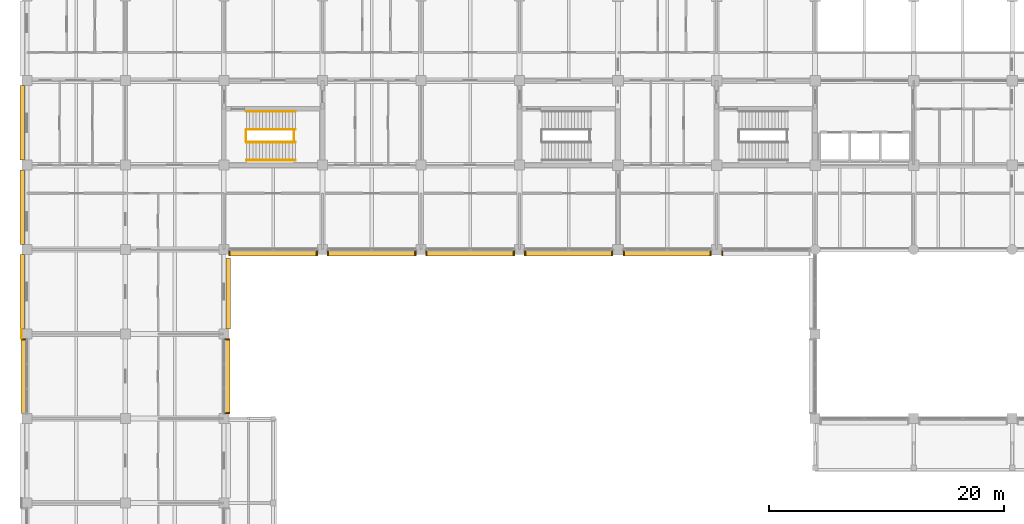
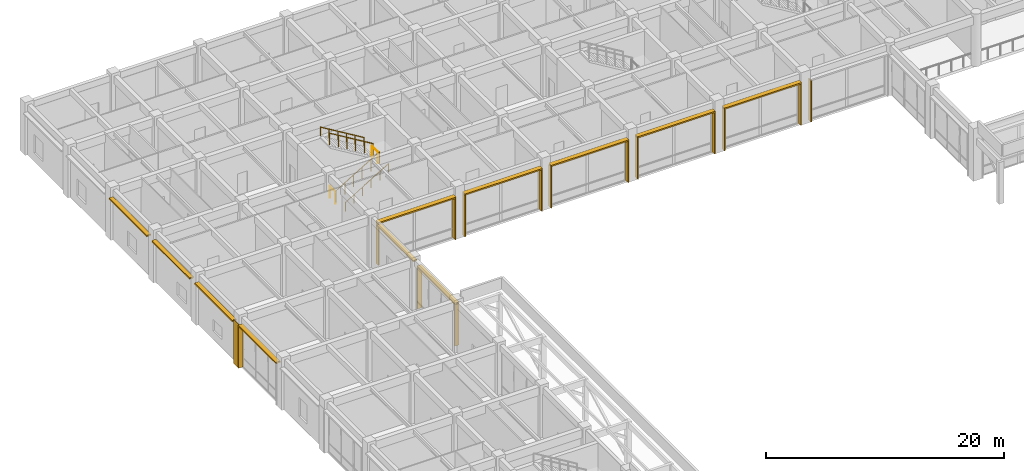
# One storey, part 63 of 68: 25 shading devices, 6 railings, 1 covering.
"""IFC4 building model written with IfcOpenShell, lengths in metres."""

from ifc_helpers import new_model, si_unit, direction, frame, origin, origin_2d, place, context, subcontext, project, spatial, rectangle, circle, extrude, material, layer, layer_set, type_object, element, save


model = new_model("IFC4")

# Units and contexts
model_context = context("Model", 3, precision=1e-05, world=origin(), true_north=direction((0.0, 1.0)))
body_context = subcontext(model_context, "Body", "Model", "MODEL_VIEW")
ifc_project = project(units=[si_unit("LENGTHUNIT", "METRE"), si_unit("AREAUNIT", "SQUARE_METRE"), si_unit("VOLUMEUNIT", "CUBIC_METRE"), si_unit("PLANEANGLEUNIT", "RADIAN"), si_unit("MASSUNIT", "GRAM", prefix="KILO")], contexts=[model_context])

# Site, building, storey
site_placement = place(None, origin())
site = spatial("IfcSite", under=ifc_project, at=site_placement, CompositionType="ELEMENT")
building_placement = place(site_placement, origin())
building = spatial("IfcBuilding", under=site, at=building_placement, Name="Chengyuan Square Courthouse", CompositionType="ELEMENT")
storey_placement = place(building_placement, frame((0.0, 0.0, 5.39990234375)))
storey = spatial("IfcBuildingStorey", under=building, at=storey_placement, Name="L02", CompositionType="ELEMENT", Elevation=5.39990234375)

# Covering
ifc_material_1 = material(Name="Flamed Liaoning Granite Column Cladding", Category="masonry")
ifc_layer = layer(ifc_material_1, 0.050048828125)
ifc_layer_set = layer_set([ifc_layer], Name="Flamed Liaoning Granite Column Cladding")
covering_type = type_object("IfcCoveringType", Name="CLD-01", PredefinedType="CLADDING", material=ifc_layer_set)
covering_placement = place(storey_placement, frame((-0.445068359375, 72.0, 0.0), z_axis=(0.0, 0.0, 1.0), x_axis=(1.0, 0.0, 0.0)))
element("IfcCovering", 1, at=covering_placement, inside=storey, type_object=covering_type, Name="Granite Column Cladding CLD-L02-18", PredefinedType="CLADDING", context=body_context, shape_type="SweptSolid", body=[
    extrude(rectangle(XDim=0.050048828125, YDim=0.800048828125, at=origin_2d()), origin(), (0.0, 0.0, 1.0), 4.5),
])

# Railings
ifc_material_2 = material(Name="Tempered Glass and Timber Top-Rail Balustrade", Category="wood")
railing_type_1 = type_object("IfcRailingType", Name="RL-02", PredefinedType="BALUSTRADE", material=ifc_material_2)
for number, where, name in (
    (2, (18.68994140625, 88.39990234375, 0.0), "Stair Floor Slot Guard ST-9 L02"),
    (3, (22.7900390625, 88.39990234375, 2.7001953125), "Stair Landing Guard ST-9-L02"),
):
    element("IfcRailing", number, at=place(storey_placement, frame(where)), inside=storey, type_object=railing_type_1, Name=name, PredefinedType="BALUSTRADE", context=body_context, shape_type="SweptSolid", body=[
        extrude(circle(Radius=0.02392578125, at=origin_2d()), frame((0.0, 0.0, 1.17578125), z_axis=(0.0, 1.0, 0.0), x_axis=(-1.0, 0.0, 0.0)), (0.0, 0.0, 1.0), 1.0),
        extrude(circle(Radius=0.02099609375, at=origin_2d()), origin(), (0.0, 0.0, 1.0), 1.15185546875),
        extrude(circle(Radius=0.02099609375, at=origin_2d()), frame((0.0, 1.0, 0.0)), (0.0, 0.0, 1.0), 1.15185546875),
    ])
railing_1_placement = place(storey_placement, frame((18.7099609375, 88.35009765625, 0.1689453125)))
element("IfcRailing", 4, at=railing_1_placement, inside=storey, type_object=railing_type_1, Name="Stair Flight 1 Guard ST-9-L02", PredefinedType="BALUSTRADE", context=body_context, shape_type="SweptSolid", body=[
    extrude(circle(Radius=0.02392578125, at=origin_2d()), frame((0.0, 0.0, 1.17578125), z_axis=(0.856476492594, 0.0, 0.516186030065), x_axis=(0.0, 1.0, 0.0)), (0.0, 0.0, 1.0), 4.90380859375),
    extrude(circle(Radius=0.02099609375, at=origin_2d()), origin(), (0.0, 0.0, 1.0), 1.15185546875),
    extrude(circle(Radius=0.02099609375, at=origin_2d()), frame((0.840087890625, 0.0, 0.50634765625)), (0.0, 0.0, 1.0), 1.15185546875),
    extrude(circle(Radius=0.02099609375, at=origin_2d()), frame((1.679931640625, 0.0, 1.012451171875)), (0.0, 0.0, 1.0), 1.15185546875),
    extrude(circle(Radius=0.02099609375, at=origin_2d()), frame((2.52001953125, 0.0, 1.518798828125)), (0.0, 0.0, 1.0), 1.15185546875),
    extrude(circle(Radius=0.02099609375, at=origin_2d()), frame((3.35986328125, 0.0, 2.02490234375)), (0.0, 0.0, 1.0), 1.15185546875),
    extrude(circle(Radius=0.02099609375, at=origin_2d()), frame((4.199951171875, 0.0, 2.53125)), (0.0, 0.0, 1.0), 1.15185546875),
])
railing_2_placement = place(storey_placement, frame((22.909912109375, 89.449951171875, 2.868896484375)))
element("IfcRailing", 5, at=railing_2_placement, inside=storey, type_object=railing_type_1, Name="Stair Flight 2 Guard ST-9-L02", PredefinedType="BALUSTRADE", context=body_context, shape_type="SweptSolid", body=[
    extrude(circle(Radius=0.02392578125, at=origin_2d()), frame((0.0, 0.0, 1.17578125), z_axis=(-0.856476492594, 0.0, 0.516186030065), x_axis=(0.0, -1.0, 0.0)), (0.0, 0.0, 1.0), 4.90380859375),
    extrude(circle(Radius=0.02099609375, at=origin_2d()), origin(), (0.0, 0.0, 1.0), 1.15185546875),
    extrude(circle(Radius=0.02099609375, at=origin_2d()), frame((-0.840087890625, 0.0, 0.50634765625)), (0.0, 0.0, 1.0), 1.15185546875),
    extrude(circle(Radius=0.02099609375, at=origin_2d()), frame((-1.679931640625, 0.0, 1.012451171875)), (0.0, 0.0, 1.0), 1.15185546875),
    extrude(circle(Radius=0.02099609375, at=origin_2d()), frame((-2.52001953125, 0.0, 1.518798828125)), (0.0, 0.0, 1.0), 1.15185546875),
    extrude(circle(Radius=0.02099609375, at=origin_2d()), frame((-3.35986328125, 0.0, 2.02490234375)), (0.0, 0.0, 1.0), 1.15185546875),
    extrude(circle(Radius=0.02099609375, at=origin_2d()), frame((-4.199951171875, 0.0, 2.53125)), (0.0, 0.0, 1.0), 1.15185546875),
])
ifc_material_3 = material(Name="Stainless Steel S30408 Stair Handrail", Category="steel")
railing_type_2 = type_object("IfcRailingType", Name="RL-04", PredefinedType="HANDRAIL", material=ifc_material_3)
railing_3_placement = place(storey_placement, frame((18.7099609375, 86.820068359375, 0.1689453125)))
element("IfcRailing", 6, at=railing_3_placement, inside=storey, type_object=railing_type_2, Name="Stair Flight 1 Handrail ST-9-L02", PredefinedType="HANDRAIL", context=body_context, shape_type="SweptSolid", body=[
    extrude(circle(Radius=0.02392578125, at=origin_2d()), frame((0.0, 0.0, 0.8759765625), z_axis=(0.856476492594, 0.0, 0.516186030065), x_axis=(0.0, 1.0, 0.0)), (0.0, 0.0, 1.0), 4.90380859375),
    extrude(circle(Radius=0.02099609375, at=origin_2d()), origin(), (0.0, 0.0, 1.0), 0.851806640625),
    extrude(circle(Radius=0.02099609375, at=origin_2d()), frame((0.840087890625, 0.0, 0.50634765625)), (0.0, 0.0, 1.0), 0.851806640625),
    extrude(circle(Radius=0.02099609375, at=origin_2d()), frame((1.679931640625, 0.0, 1.012451171875)), (0.0, 0.0, 1.0), 0.851806640625),
    extrude(circle(Radius=0.02099609375, at=origin_2d()), frame((2.52001953125, 0.0, 1.518798828125)), (0.0, 0.0, 1.0), 0.851806640625),
    extrude(circle(Radius=0.02099609375, at=origin_2d()), frame((3.35986328125, 0.0, 2.02490234375)), (0.0, 0.0, 1.0), 0.851806640625),
    extrude(circle(Radius=0.02099609375, at=origin_2d()), frame((4.199951171875, 0.0, 2.53125)), (0.0, 0.0, 1.0), 0.851806640625),
])
railing_4_placement = place(storey_placement, frame((22.909912109375, 90.97998046875, 2.868896484375)))
element("IfcRailing", 7, at=railing_4_placement, inside=storey, type_object=railing_type_2, Name="Stair Flight 2 Handrail ST-9-L02", PredefinedType="HANDRAIL", context=body_context, shape_type="SweptSolid", body=[
    extrude(circle(Radius=0.02392578125, at=origin_2d()), frame((0.0, 0.0, 0.8759765625), z_axis=(-0.856476492594, 0.0, 0.516186030065), x_axis=(0.0, -1.0, 0.0)), (0.0, 0.0, 1.0), 4.90380859375),
    extrude(circle(Radius=0.02099609375, at=origin_2d()), origin(), (0.0, 0.0, 1.0), 0.851806640625),
    extrude(circle(Radius=0.02099609375, at=origin_2d()), frame((-0.840087890625, 0.0, 0.50634765625)), (0.0, 0.0, 1.0), 0.851806640625),
    extrude(circle(Radius=0.02099609375, at=origin_2d()), frame((-1.679931640625, 0.0, 1.012451171875)), (0.0, 0.0, 1.0), 0.851806640625),
    extrude(circle(Radius=0.02099609375, at=origin_2d()), frame((-2.52001953125, 0.0, 1.518798828125)), (0.0, 0.0, 1.0), 0.851806640625),
    extrude(circle(Radius=0.02099609375, at=origin_2d()), frame((-3.35986328125, 0.0, 2.02490234375)), (0.0, 0.0, 1.0), 0.851806640625),
    extrude(circle(Radius=0.02099609375, at=origin_2d()), frame((-4.199951171875, 0.0, 2.53125)), (0.0, 0.0, 1.0), 0.851806640625),
])

# Shading devices
ifc_material_4 = material(Name="Glulam TCt28 Solar Shading Fin", Category="wood")
shading_device_type_1 = type_object("IfcShadingDeviceType", Name="SHD-01", PredefinedType="JALOUSIE", material=ifc_material_4)
for number, where, z_axis, x_axis, name in (
    (8, (-0.281982421875, 71.544921875, 0.0400390625), (0.0, 0.0, 1.0), (1.0, 0.0, 0.0), "Glulam Solar Fin SHD-L02-0154"),
    (9, (17.08203125, 65.2548828125, 0.0400390625), (0.0, 0.0, 1.0), (1.0, 0.0, 0.0), "Glulam Solar Fin SHD-L02-0178"),
    (10, (17.08203125, 71.544921875, 0.0400390625), (0.0, 0.0, 1.0), (1.0, 0.0, 0.0), "Glulam Solar Fin SHD-L02-0179"),
    (11, (17.264892578125, 78.887939453125, 0.0400390625), (0.0, 0.0, 1.0), (0.0, 1.0, 0.0), "Glulam Solar Fin SHD-L02-0182"),
    (12, (24.735107421875, 78.887939453125, 0.0400390625), (0.0, 0.0, 1.0), (0.0, 1.0, 0.0), "Glulam Solar Fin SHD-L02-0183"),
    (13, (25.6650390625, 78.887939453125, 0.0400390625), (0.0, 0.0, 1.0), (0.0, 1.0, 0.0), "Glulam Solar Fin SHD-L02-0185"),
    (14, (33.135009765625, 78.887939453125, 0.0400390625), (0.0, 0.0, 1.0), (0.0, 1.0, 0.0), "Glulam Solar Fin SHD-L02-0186"),
    (15, (34.06494140625, 78.887939453125, 0.0400390625), (0.0, 0.0, 1.0), (0.0, 1.0, 0.0), "Glulam Solar Fin SHD-L02-0188"),
    (16, (41.534912109375, 78.887939453125, 0.0400390625), (0.0, 0.0, 1.0), (0.0, 1.0, 0.0), "Glulam Solar Fin SHD-L02-0189"),
    (17, (42.465087890625, 78.887939453125, 0.0400390625), (0.0, 0.0, 1.0), (0.0, 1.0, 0.0), "Glulam Solar Fin SHD-L02-0191"),
    (18, (49.909912109375, 78.887939453125, 0.0400390625), (0.0, 0.0, 1.0), (0.0, 1.0, 0.0), "Glulam Solar Fin SHD-L02-0192"),
    (19, (50.889892578125, 78.887939453125, 0.0400390625), (0.0, 0.0, 1.0), (0.0, 1.0, 0.0), "Glulam Solar Fin SHD-L02-0194"),
    (20, (58.31005859375, 78.887939453125, 0.0400390625), (0.0, 0.0, 1.0), (0.0, 1.0, 0.0), "Glulam Solar Fin SHD-L02-0195"),
    (21, (59.2900390625, 78.887939453125, 0.0400390625), (0.0, 0.0, 1.0), (0.0, 1.0, 0.0), "Glulam Solar Fin SHD-L02-0198"),
):
    element("IfcShadingDevice", number, at=place(storey_placement, frame(where, z_axis=z_axis, x_axis=x_axis)), inside=storey, type_object=shading_device_type_1, Name=name, PredefinedType="JALOUSIE", context=body_context, shape_type="SweptSolid", body=[
        extrude(rectangle(XDim=0.419921875, YDim=0.094970703125, at=origin_2d()), origin(), (0.0, 0.0, 1.0), 4.260009765625),
    ])
ifc_material_5 = material(Name="Glulam TCt28 Sunshade Louvre", Category="wood")
shading_device_type_2 = type_object("IfcShadingDeviceType", Name="SHD-02", PredefinedType="AWNING", material=ifc_material_5)
for number, where, z_axis, x_axis, name in (
    (22, (-0.281982421875, 68.39990234375, 4.30029296875), (0.0, 0.0, 1.0), (0.0, 1.0, 0.0), "Glulam Sunshade Louvre SHD-L02-0155"),
    (23, (17.08203125, 68.39990234375, 4.30029296875), (0.0, 0.0, 1.0), (0.0, 1.0, 0.0), "Glulam Sunshade Louvre SHD-L02-0180"),
):
    element("IfcShadingDevice", number, at=place(storey_placement, frame(where, z_axis=z_axis, x_axis=x_axis)), inside=storey, type_object=shading_device_type_2, Name=name, PredefinedType="AWNING", context=body_context, shape_type="SweptSolid", body=[
        extrude(rectangle(XDim=6.35009765625, YDim=0.43994140625, at=origin_2d()), origin(), (0.0, 0.0, 1.0), 0.139892578125),
    ])
for number, where, z_axis, x_axis, name in (
    (24, (21.0, 78.887939453125, 4.30029296875), (0.0, 0.0, 1.0), (1.0, 0.0, 0.0), "Glulam Sunshade Louvre SHD-L02-0184"),
    (25, (29.39990234375, 78.887939453125, 4.30029296875), (0.0, 0.0, 1.0), (1.0, 0.0, 0.0), "Glulam Sunshade Louvre SHD-L02-0187"),
    (26, (37.800048828125, 78.887939453125, 4.30029296875), (0.0, 0.0, 1.0), (1.0, 0.0, 0.0), "Glulam Sunshade Louvre SHD-L02-0190"),
):
    element("IfcShadingDevice", number, at=place(storey_placement, frame(where, z_axis=z_axis, x_axis=x_axis)), inside=storey, type_object=shading_device_type_2, Name=name, PredefinedType="AWNING", context=body_context, shape_type="SweptSolid", body=[
        extrude(rectangle(XDim=7.550048828125, YDim=0.43994140625, at=origin_2d()), origin(), (0.0, 0.0, 1.0), 0.139892578125),
    ])
shading_device_1_placement = place(storey_placement, frame((46.1875, 78.887939453125, 4.30029296875), z_axis=(0.0, 0.0, 1.0), x_axis=(1.0, 0.0, 0.0)))
element("IfcShadingDevice", 27, at=shading_device_1_placement, inside=storey, type_object=shading_device_type_2, Name="Glulam Sunshade Louvre SHD-L02-0193", PredefinedType="AWNING", context=body_context, shape_type="SweptSolid", body=[
    extrude(rectangle(XDim=7.52490234375, YDim=0.43994140625, at=origin_2d()), origin(), (0.0, 0.0, 1.0), 0.139892578125),
])
shading_device_2_placement = place(storey_placement, frame((54.60009765625, 78.887939453125, 4.30029296875), z_axis=(0.0, 0.0, 1.0), x_axis=(1.0, 0.0, 0.0)))
element("IfcShadingDevice", 28, at=shading_device_2_placement, inside=storey, type_object=shading_device_type_2, Name="Glulam Sunshade Louvre SHD-L02-0196", PredefinedType="AWNING", context=body_context, shape_type="SweptSolid", body=[
    extrude(rectangle(XDim=7.5, YDim=0.43994140625, at=origin_2d()), origin(), (0.0, 0.0, 1.0), 0.139892578125),
])
ifc_material_6 = material(Name="Glulam TCt28 Facade Sunshade", Category="wood")
shading_device_type_3 = type_object("IfcShadingDeviceType", Name="SHD-03", PredefinedType="AWNING", material=ifc_material_6)
for number, where, z_axis, x_axis, name in (
    (29, (-0.382080078125, 75.60009765625, 4.2802734375), (0.0, 0.0, 1.0), (0.0, 1.0, 0.0), "Glulam Facade Sunshade SHD-L02-0156"),
    (30, (-0.382080078125, 82.800048828125, 4.2802734375), (0.0, 0.0, 1.0), (0.0, 1.0, 0.0), "Glulam Facade Sunshade SHD-L02-0157"),
    (31, (-0.382080078125, 90.0, 4.2802734375), (0.0, 0.0, 1.0), (0.0, 1.0, 0.0), "Glulam Facade Sunshade SHD-L02-0158"),
):
    element("IfcShadingDevice", number, at=place(storey_placement, frame(where, z_axis=z_axis, x_axis=x_axis)), inside=storey, type_object=shading_device_type_3, Name=name, PredefinedType="AWNING", context=body_context, shape_type="SweptSolid", body=[
        extrude(rectangle(XDim=6.360107421875, YDim=0.39990234375, at=origin_2d()), origin(), (0.0, 0.0, 1.0), 0.139892578125),
    ])
shading_device_3_placement = place(storey_placement, frame((17.181884765625, 75.449951171875, 4.2802734375), z_axis=(0.0, 0.0, 1.0), x_axis=(0.0, 1.0, 0.0)))
element("IfcShadingDevice", 32, at=shading_device_3_placement, inside=storey, type_object=shading_device_type_3, Name="Glulam Facade Sunshade SHD-L02-0181", PredefinedType="AWNING", context=body_context, shape_type="SweptSolid", body=[
    extrude(rectangle(XDim=6.06005859375, YDim=0.39990234375, at=origin_2d()), origin(), (0.0, 0.0, 1.0), 0.139892578125),
])

save(model, "model.ifc")
